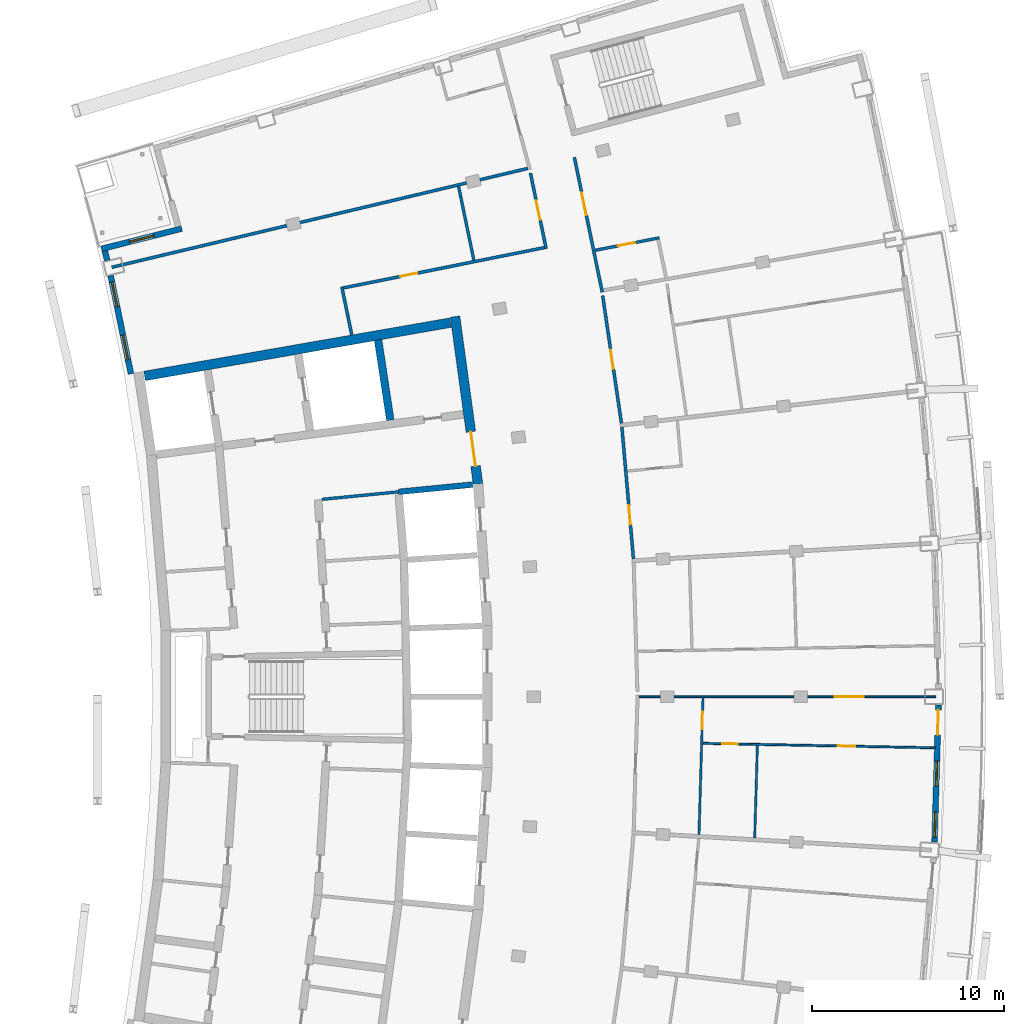
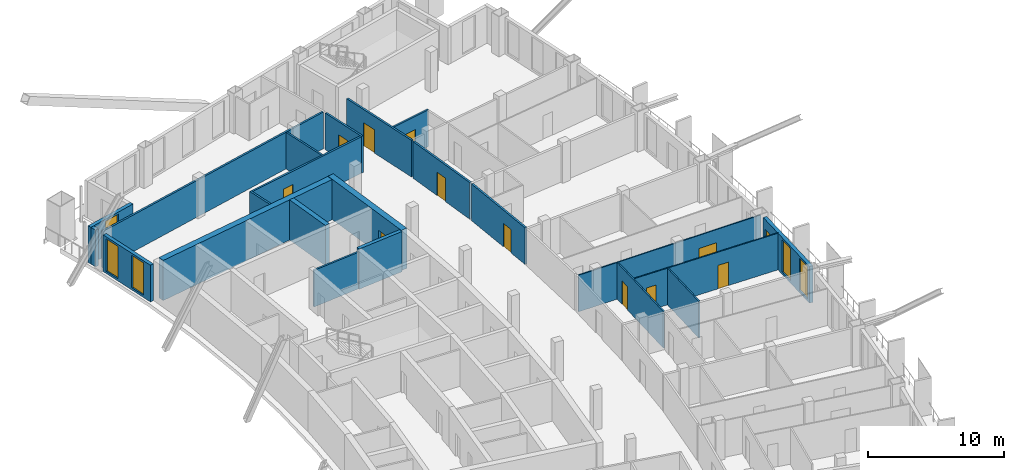
# One storey, part 11 of 17: 22 walls, 12 doors, 5 windows, 17 openings.
"""IFC4 building model written with IfcOpenShell, lengths in metres."""

from ifc_helpers import new_model, si_unit, direction, frame, frame_2d, origin, place, context, subcontext, project, spatial, rectangle, extrude, material, layer, layer_set, type_object, element, fill, save


model = new_model("IFC4")

# Units and contexts
model_context = context("Model", 3, precision=1e-05, world=origin(), true_north=direction((0.0, 1.0)))
body_context = subcontext(model_context, "Body", "Model", "MODEL_VIEW")
ifc_project = project(units=[si_unit("LENGTHUNIT", "METRE"), si_unit("AREAUNIT", "SQUARE_METRE"), si_unit("VOLUMEUNIT", "CUBIC_METRE"), si_unit("PLANEANGLEUNIT", "RADIAN"), si_unit("MASSUNIT", "GRAM", prefix="KILO")], contexts=[model_context])

# Site, building, storey
site_placement = place(None, origin())
site = spatial("IfcSite", under=ifc_project, at=site_placement, CompositionType="ELEMENT")
building_placement = place(site_placement, origin())
building = spatial("IfcBuilding", under=site, at=building_placement, Name="Alderwake Tower", CompositionType="ELEMENT")
storey_placement = place(building_placement, frame((0.0, 0.0, 256.39990234375)))
storey = spatial("IfcBuildingStorey", under=building, at=storey_placement, Name="L63", CompositionType="ELEMENT", Elevation=256.39990234375)

# Wall
ifc_material_1 = material(Name="Gypsum shaft wall system, rated")
ifc_layer_1 = layer(ifc_material_1, 0.14990234375)
ifc_layer_set_1 = layer_set([ifc_layer_1], Name="Core room partition 150")
wall_type_1 = type_object("IfcWallType", Name="Core room partition 150", PredefinedType="PARTITIONING", material=ifc_layer_set_1)
wall_1_placement = place(storey_placement, frame((24.799560546875, 71.2548828125, 0.0), z_axis=(0.0, 0.0, 1.0), x_axis=(0.995250000627, 0.097352125046, 0.0)))
element("IfcWall", 1, at=wall_1_placement, inside=storey, type_object=wall_type_1, Name="CW/L63/PR+102_+86", PredefinedType="PARTITIONING", context=body_context, shape_type="SweptSolid", body=[
    extrude(rectangle(XDim=4.0, YDim=0.14990234375, at=frame_2d((2.0, 0.0))), origin(), (0.0, 0.0, 1.0), 3.280029296875),
])

# Wall, opening, door
ifc_material_2 = material(Name="Concrete C70/85", Category="concrete")
ifc_layer_2 = layer(ifc_material_2, 0.5)
ifc_layer_set_2 = layer_set([ifc_layer_2], Name="Core wall outer 500 C70-85")
wall_type_2 = type_object("IfcWallType", Name="Core wall outer 500 C70-85", PredefinedType="SHEAR", material=ifc_layer_set_2)
wall_2_placement = place(storey_placement, frame((31.71728515625, 80.752685546875, 0.0), z_axis=(0.0, 0.0, 1.0), x_axis=(0.1358539401, -0.990728876615, 0.0)))
wall_2 = element("IfcWall", 2, at=wall_2_placement, inside=storey, type_object=wall_type_2, Name="Core wall CW.019", PredefinedType="SHEAR", context=body_context, shape_type="SweptSolid", body=[
    extrude(rectangle(XDim=8.794921875, YDim=0.5, at=frame_2d((4.3974609375, 0.0))), origin(), (0.0, 0.0, 1.0), 3.60009765625),
])
opening_1_placement = place(wall_2_placement, frame((6.0419921875, 0.0, 0.0)))
opening_1 = element("IfcOpeningElement", 3, at=opening_1_placement, cuts=wall_2, Name="Opening C001", PredefinedType="OPENING", context=body_context, shape_type="SweptSolid", body=[
    extrude(rectangle(XDim=1.800048828125, YDim=2.10009765625, at=frame_2d((0.89990234375, 1.050048828125))), frame((0.0, 0.260009765625, 0.0), z_axis=(0.0, -1.0, 0.0), x_axis=(1.0, 0.0, 0.0)), (0.0, 0.0, 1.0), 0.52001953125),
])
ifc_material_3 = material(Name="Steel-framed fire door leaves", Category="steel")
door_type_1 = type_object("IfcDoorType", Name="Core double door 1800 fire-rated", OperationType="DOUBLE_DOOR_SINGLE_SWING", PredefinedType="DOOR", material=ifc_material_3)
door_1_placement = place(opening_1_placement, origin())
door_1 = element("IfcDoor", 4, at=door_1_placement, inside=storey, type_object=door_type_1, Name="Lobby double door", OperationType="DOUBLE_DOOR_SINGLE_SWING", OverallHeight=2.10009765625, OverallWidth=1.800048828125, PredefinedType="DOOR", context=body_context, shape_type="SweptSolid", body=[
    extrude(rectangle(XDim=1.800048828125, YDim=2.10009765625, at=frame_2d((0.89990234375, 1.050048828125))), frame((0.0, 0.02490234375, 0.0), z_axis=(0.0, -1.0, 0.0), x_axis=(1.0, 0.0, 0.0)), (0.0, 0.0, 1.0), 0.050048828125),
])
fill(opening_1, door_1)

# Walls
wall_3_placement = place(storey_placement, frame((15.583251953125, 77.664306640625, 0.0), z_axis=(0.0, 0.0, 1.0), x_axis=(0.985139146221, 0.171758151429, 0.0)))
element("IfcWall", 5, at=wall_3_placement, inside=storey, type_object=wall_type_2, Name="Core wall CW.055", PredefinedType="SHEAR", context=body_context, shape_type="SweptSolid", body=[
    extrude(rectangle(XDim=16.134521484375, YDim=0.5, at=frame_2d((8.0673828125, 0.0))), origin(), (0.0, 0.0, 1.0), 3.60009765625),
])
ifc_material_4 = material(Name="Concrete C70/85", Category="concrete")
ifc_layer_3 = layer(ifc_material_4, 0.300048828125)
ifc_layer_set_3 = layer_set([ifc_layer_3], Name="Core wall shaft 300 C70-85")
wall_type_3 = type_object("IfcWallType", Name="Core wall shaft 300 C70-85", PredefinedType="SHEAR", material=ifc_layer_set_3)
wall_4_placement = place(storey_placement, frame((28.780517578125, 71.644287109375, 0.0), z_axis=(0.0, 0.0, 1.0), x_axis=(0.995244248631, 0.097410910928, 0.0)))
element("IfcWall", 6, at=wall_4_placement, inside=storey, type_object=wall_type_3, Name="Core wall CW.049", PredefinedType="SHEAR", context=body_context, shape_type="SweptSolid", body=[
    extrude(rectangle(XDim=3.86962890625, YDim=0.300048828125, at=frame_2d((1.934814453125, 0.0))), origin(), (0.0, 0.0, 1.0), 3.60009765625),
])
ifc_material_5 = material(Name="Concrete C70/85", Category="concrete")
ifc_layer_4 = layer(ifc_material_5, 0.39990234375)
ifc_layer_set_4 = layer_set([ifc_layer_4], Name="Core wall spine 400 C70-85")
wall_type_4 = type_object("IfcWallType", Name="Core wall spine 400 C70-85", PredefinedType="SHEAR", material=ifc_layer_set_4)
wall_5_placement = place(storey_placement, frame((28.350830078125, 75.373291015625, 0.0), z_axis=(0.0, 0.0, 1.0), x_axis=(-0.150576223774, 0.988598402201, 0.0)))
element("IfcWall", 7, at=wall_5_placement, inside=storey, type_object=wall_type_4, Name="Core wall CW.001", PredefinedType="SHEAR", context=body_context, shape_type="SweptSolid", body=[
    extrude(rectangle(XDim=4.21240234375, YDim=0.39990234375, at=frame_2d((2.106201171875, 0.0))), origin(), (0.0, 0.0, 1.0), 3.60009765625),
])
ifc_material_6 = material(Name="Gypsum board on metal studs, rated")
ifc_layer_5 = layer(ifc_material_6, 0.159912109375)
ifc_layer_set_5 = layer_set([ifc_layer_5], Name="Corridor wall 160")
wall_type_5 = type_object("IfcWallType", Name="Corridor wall 160", PredefinedType="PARTITIONING", material=ifc_layer_set_5)
wall_6_placement = place(storey_placement, frame((25.831787109375, 82.305419921875, 0.0), z_axis=(0.0, 0.0, 1.0), x_axis=(0.202450797205, -0.979292435747, 0.0)))
element("IfcWall", 8, at=wall_6_placement, inside=storey, type_object=wall_type_5, Name="WL/L63/W12", PredefinedType="PARTITIONING", context=body_context, shape_type="SweptSolid", body=[
    extrude(rectangle(XDim=2.555419921875, YDim=0.159912109375, at=frame_2d((1.27783203125, 0.0))), origin(), (0.0, 0.0, 1.0), 3.280029296875),
])
wall_7_placement = place(storey_placement, frame((35.502197265625, 88.451416015625, 0.0), z_axis=(0.0, 0.0, 1.0), x_axis=(-0.972894913244, -0.231247676278, 0.0)))
element("IfcWall", 9, at=wall_7_placement, inside=storey, type_object=wall_type_5, Name="WL/L63/W15", PredefinedType="PARTITIONING", context=body_context, shape_type="SweptSolid", body=[
    extrude(rectangle(XDim=22.220458984375, YDim=0.159912109375, at=frame_2d((11.1103515625, 0.0))), origin(), (0.0, 0.0, 1.0), 3.280029296875),
])

# Wall, opening, door
wall_8_placement = place(storey_placement, frame((36.451416015625, 84.272705078125, 0.0), z_axis=(0.0, 0.0, 1.0), x_axis=(-0.203258199701, 0.979125172924, 0.0)))
wall_8 = element("IfcWall", 10, at=wall_8_placement, inside=storey, type_object=wall_type_5, Name="WL/L63/W16", PredefinedType="PARTITIONING", context=body_context, shape_type="SweptSolid", body=[
    extrude(rectangle(XDim=4.020263671875, YDim=0.159912109375, at=frame_2d((2.01025390625, 0.0))), origin(), (0.0, 0.0, 1.0), 3.280029296875),
])
opening_2_placement = place(wall_8_placement, frame((1.549560546875, 0.0, 0.0)))
opening_2 = element("IfcOpeningElement", 11, at=opening_2_placement, cuts=wall_8, Name="Opening R18-SBN2", PredefinedType="OPENING", context=body_context, shape_type="SweptSolid", body=[
    extrude(rectangle(XDim=1.0, YDim=2.10009765625, at=frame_2d((0.5, 1.050048828125))), frame((0.0, 0.08984375, 0.0), z_axis=(0.0, -1.0, 0.0), x_axis=(1.0, 0.0, 0.0)), (0.0, 0.0, 1.0), 0.179931640625),
])
ifc_material_7 = material(Name="Steel-framed fire door leaf", Category="steel")
door_type_2 = type_object("IfcDoorType", Name="Plant room door 1000 fire-rated", OperationType="SINGLE_SWING_LEFT", PredefinedType="DOOR", material=ifc_material_7)
door_2_placement = place(opening_2_placement, origin())
door_2 = element("IfcDoor", 12, at=door_2_placement, inside=storey, type_object=door_type_2, Name="DR/L63/SBN2", OperationType="SINGLE_SWING_LEFT", OverallHeight=2.10009765625, OverallWidth=1.0, PredefinedType="DOOR", context=body_context, shape_type="SweptSolid", body=[
    extrude(rectangle(XDim=1.0, YDim=2.10009765625, at=frame_2d((0.5, 1.050048828125))), frame((0.0, 0.02490234375, 0.0), z_axis=(0.0, -1.0, 0.0), x_axis=(1.0, 0.0, 0.0)), (0.0, 0.0, 1.0), 0.050048828125),
])
fill(opening_2, door_2)

wall_9_placement = place(storey_placement, frame((25.926513671875, 82.24267578125, 0.0), z_axis=(0.0, 0.0, 1.0), x_axis=(0.98046310274, 0.196703086316, 0.0)))
wall_9 = element("IfcWall", 13, at=wall_9_placement, inside=storey, type_object=wall_type_5, Name="WL/L63/W18", PredefinedType="PARTITIONING", context=body_context, shape_type="SweptSolid", body=[
    extrude(rectangle(XDim=10.637939453125, YDim=0.159912109375, at=frame_2d((5.31884765625, 0.0))), origin(), (0.0, 0.0, 1.0), 3.280029296875),
])
opening_3_placement = place(wall_9_placement, frame((3.009033203125, 0.0, 0.0)))
opening_3 = element("IfcOpeningElement", 14, at=opening_3_placement, cuts=wall_9, Name="Opening R18-SBN1", PredefinedType="OPENING", context=body_context, shape_type="SweptSolid", body=[
    extrude(rectangle(XDim=0.89990234375, YDim=2.10009765625, at=frame_2d((0.449951171875, 1.050048828125))), frame((0.0, 0.08984375, 0.0), z_axis=(0.0, -1.0, 0.0), x_axis=(1.0, 0.0, 0.0)), (0.0, 0.0, 1.0), 0.179931640625),
])
ifc_material_8 = material(Name="Painted timber leaf", Category="wood")
door_type_3 = type_object("IfcDoorType", Name="Room door 900", OperationType="SINGLE_SWING_LEFT", PredefinedType="DOOR", material=ifc_material_8)
door_3_placement = place(opening_3_placement, origin())
door_3 = element("IfcDoor", 15, at=door_3_placement, inside=storey, type_object=door_type_3, Name="DR/L63/SBN1", OperationType="SINGLE_SWING_LEFT", OverallHeight=2.10009765625, OverallWidth=0.89990234375, PredefinedType="DOOR", context=body_context, shape_type="SweptSolid", body=[
    extrude(rectangle(XDim=0.89990234375, YDim=2.10009765625, at=frame_2d((0.449951171875, 1.050048828125))), frame((0.0, 0.02490234375, 0.0), z_axis=(0.0, -1.0, 0.0), x_axis=(1.0, 0.0, 0.0)), (0.0, 0.0, 1.0), 0.050048828125),
])
fill(opening_3, door_3)

wall_10_placement = place(storey_placement, frame((37.9169921875, 89.02490234375, 0.0), z_axis=(0.0, 0.0, 1.0), x_axis=(0.202409142021, -0.979301046271, 0.0)))
wall_10 = element("IfcWall", 16, at=wall_10_placement, inside=storey, type_object=wall_type_5, Name="WL/L63/W21", PredefinedType="PARTITIONING", context=body_context, shape_type="SweptSolid", body=[
    extrude(rectangle(XDim=7.150146484375, YDim=0.159912109375, at=frame_2d((3.5751953125, 0.0))), origin(), (0.0, 0.0, 1.0), 3.280029296875),
])
opening_4_placement = place(wall_10_placement, frame((1.874755859375, 0.0, 0.0)))
opening_4 = element("IfcOpeningElement", 17, at=opening_4_placement, cuts=wall_10, Name="Opening R18-AM1.1", PredefinedType="OPENING", context=body_context, shape_type="SweptSolid", body=[
    extrude(rectangle(XDim=1.199951171875, YDim=2.10009765625, at=frame_2d((0.60009765625, 1.050048828125))), frame((0.0, 0.08984375, 0.0), z_axis=(0.0, -1.0, 0.0), x_axis=(1.0, 0.0, 0.0)), (0.0, 0.0, 1.0), 0.179931640625),
])
ifc_material_9 = material(Name="Steel-framed fire door leaf", Category="steel")
door_type_4 = type_object("IfcDoorType", Name="Lobby door 1200 fire-rated", OperationType="SINGLE_SWING_LEFT", PredefinedType="DOOR", material=ifc_material_9)
door_4_placement = place(opening_4_placement, origin())
door_4 = element("IfcDoor", 18, at=door_4_placement, inside=storey, type_object=door_type_4, Name="DR/L63/AM1.1", OperationType="SINGLE_SWING_LEFT", OverallHeight=2.10009765625, OverallWidth=1.199951171875, PredefinedType="DOOR", context=body_context, shape_type="SweptSolid", body=[
    extrude(rectangle(XDim=1.199951171875, YDim=2.10009765625, at=frame_2d((0.60009765625, 1.050048828125))), frame((0.0, 0.02490234375, 0.0), z_axis=(0.0, -1.0, 0.0), x_axis=(1.0, 0.0, 0.0)), (0.0, 0.0, 1.0), 0.050048828125),
])
fill(opening_4, door_4)

wall_11_placement = place(storey_placement, frame((39.38671875, 81.837158203125, 0.0), z_axis=(0.0, 0.0, 1.0), x_axis=(0.145576845789, -0.989346947218, 0.0)))
wall_11 = element("IfcWall", 19, at=wall_11_placement, inside=storey, type_object=wall_type_5, Name="WL/L63/W23", PredefinedType="PARTITIONING", context=body_context, shape_type="SweptSolid", body=[
    extrude(rectangle(XDim=6.701416015625, YDim=0.159912109375, at=frame_2d((3.3505859375, 0.0))), origin(), (0.0, 0.0, 1.0), 3.280029296875),
])
opening_5_placement = place(wall_11_placement, frame((2.850830078125, 0.0, 0.0)))
opening_5 = element("IfcOpeningElement", 20, at=opening_5_placement, cuts=wall_11, Name="Opening R18-U07.1", PredefinedType="OPENING", context=body_context, shape_type="SweptSolid", body=[
    extrude(rectangle(XDim=1.0, YDim=2.10009765625, at=frame_2d((0.5, 1.050048828125))), frame((0.0, 0.08984375, 0.0), z_axis=(0.0, -1.0, 0.0), x_axis=(1.0, 0.0, 0.0)), (0.0, 0.0, 1.0), 0.179931640625),
])
ifc_material_10 = material(Name="Solid timber leaf in steel frame", Category="steel")
door_type_5 = type_object("IfcDoorType", Name="Flat entrance door 1000 fire-rated", OperationType="SINGLE_SWING_LEFT", PredefinedType="DOOR", material=ifc_material_10)
door_5_placement = place(opening_5_placement, origin())
door_5 = element("IfcDoor", 21, at=door_5_placement, inside=storey, type_object=door_type_5, Name="DR/L63/U07.1", OperationType="SINGLE_SWING_LEFT", OverallHeight=2.10009765625, OverallWidth=1.0, PredefinedType="DOOR", context=body_context, shape_type="SweptSolid", body=[
    extrude(rectangle(XDim=1.0, YDim=2.10009765625, at=frame_2d((0.5, 1.050048828125))), frame((0.0, 0.02490234375, 0.0), z_axis=(0.0, -1.0, 0.0), x_axis=(1.0, 0.0, 0.0)), (0.0, 0.0, 1.0), 0.050048828125),
])
fill(opening_5, door_5)

wall_12_placement = place(storey_placement, frame((40.3857421875, 75.00830078125, 0.0), z_axis=(0.0, 0.0, 1.0), x_axis=(0.087448731147, -0.996169021512, 0.0)))
wall_12 = element("IfcWall", 22, at=wall_12_placement, inside=storey, type_object=wall_type_5, Name="WL/L63/W25", PredefinedType="PARTITIONING", context=body_context, shape_type="SweptSolid", body=[
    extrude(rectangle(XDim=6.867919921875, YDim=0.159912109375, at=frame_2d((3.43408203125, 0.0))), origin(), (0.0, 0.0, 1.0), 3.280029296875),
])
opening_6_placement = place(wall_12_placement, frame((4.085693359375, 0.0, 0.0)))
opening_6 = element("IfcOpeningElement", 23, at=opening_6_placement, cuts=wall_12, Name="Opening R18-U06.1", PredefinedType="OPENING", context=body_context, shape_type="SweptSolid", body=[
    extrude(rectangle(XDim=1.0, YDim=2.10009765625, at=frame_2d((0.5, 1.050048828125))), frame((0.0, 0.08984375, 0.0), z_axis=(0.0, -1.0, 0.0), x_axis=(1.0, 0.0, 0.0)), (0.0, 0.0, 1.0), 0.179931640625),
])
door_6_placement = place(opening_6_placement, origin())
door_6 = element("IfcDoor", 24, at=door_6_placement, inside=storey, type_object=door_type_5, Name="DR/L63/U06.1", OperationType="SINGLE_SWING_LEFT", OverallHeight=2.10009765625, OverallWidth=1.0, PredefinedType="DOOR", context=body_context, shape_type="SweptSolid", body=[
    extrude(rectangle(XDim=1.0, YDim=2.10009765625, at=frame_2d((0.5, 1.050048828125))), frame((0.0, 0.02490234375, 0.0), z_axis=(0.0, -1.0, 0.0), x_axis=(1.0, 0.0, 0.0)), (0.0, 0.0, 1.0), 0.050048828125),
])
fill(opening_6, door_6)

# Wall, openings, door, windows
ifc_material_11 = material(Name="Precast concrete C50/60 spandrel panel", Category="concrete")
ifc_layer_6 = layer(ifc_material_11, 0.300048828125)
ifc_layer_set_6 = layer_set([ifc_layer_6], Name="External wall EW1 Precast concrete C50/60 spandrel")
wall_type_6 = type_object("IfcWallType", Name="External wall EW1 Precast concrete C50/60 spandrel", PredefinedType="SOLIDWALL", material=ifc_layer_set_6)
wall_13_placement = place(storey_placement, frame((56.62939453125, 53.443115234375, 0.0), z_axis=(0.0, 0.0, 1.0), x_axis=(0.029172920449, 0.99957437978, 0.0)))
wall_13 = element("IfcWall", 25, at=wall_13_placement, inside=storey, type_object=wall_type_6, Name="External wall 15", PredefinedType="SOLIDWALL", context=body_context, shape_type="SweptSolid", body=[
    extrude(rectangle(XDim=7.138427734375, YDim=0.300048828125, at=frame_2d((3.5693359375, 0.0))), origin(), (0.0, 0.0, 1.0), 3.280029296875),
])
opening_7_placement = place(wall_13_placement, frame((0.263427734375, 0.0, 0.199951171875)))
opening_7 = element("IfcOpeningElement", 26, at=opening_7_placement, cuts=wall_13, Name="Opening W1", PredefinedType="OPENING", context=body_context, shape_type="SweptSolid", body=[
    extrude(rectangle(XDim=1.300048828125, YDim=2.89990234375, at=frame_2d((0.64990234375, 1.449951171875))), frame((0.0, 0.159912109375, 0.0), z_axis=(0.0, -1.0, 0.0), x_axis=(1.0, 0.0, 0.0)), (0.0, 0.0, 1.0), 0.320068359375),
])
opening_8_placement = place(wall_13_placement, frame((2.919189453125, 0.0, 0.199951171875)))
opening_8 = element("IfcOpeningElement", 27, at=opening_8_placement, cuts=wall_13, Name="Opening W1", PredefinedType="OPENING", context=body_context, shape_type="SweptSolid", body=[
    extrude(rectangle(XDim=1.300048828125, YDim=2.89990234375, at=frame_2d((0.64990234375, 1.449951171875))), frame((0.0, 0.159912109375, 0.0), z_axis=(0.0, -1.0, 0.0), x_axis=(1.0, 0.0, 0.0)), (0.0, 0.0, 1.0), 0.320068359375),
])
opening_9_placement = place(wall_13_placement, frame((5.574951171875, 0.0, 0.0)))
opening_9 = element("IfcOpeningElement", 28, at=opening_9_placement, cuts=wall_13, Name="Opening D05", PredefinedType="OPENING", context=body_context, shape_type="SweptSolid", body=[
    extrude(rectangle(XDim=1.300048828125, YDim=2.39990234375, at=frame_2d((0.64990234375, 1.199951171875))), frame((0.0, 0.159912109375, 0.0), z_axis=(0.0, -1.0, 0.0), x_axis=(1.0, 0.0, 0.0)), (0.0, 0.0, 1.0), 0.320068359375),
])
ifc_material_12 = material(Name="Bronze tinted glass in aluminium frame", Category="aluminium")
door_type_6 = type_object("IfcDoorType", Name="Balcony door BD sliding", OperationType="SLIDING_TO_LEFT", PredefinedType="DOOR", material=ifc_material_12)
door_7_placement = place(opening_9_placement, origin())
door_7 = element("IfcDoor", 29, at=door_7_placement, inside=storey, type_object=door_type_6, Name="Door D05", OperationType="SLIDING_TO_LEFT", OverallHeight=2.39990234375, OverallWidth=1.300048828125, PredefinedType="DOOR", context=body_context, shape_type="SweptSolid", body=[
    extrude(rectangle(XDim=1.300048828125, YDim=2.39990234375, at=frame_2d((0.64990234375, 1.199951171875))), frame((0.0, 0.02490234375, 0.0), z_axis=(0.0, -1.0, 0.0), x_axis=(1.0, 0.0, 0.0)), (0.0, 0.0, 1.0), 0.050048828125),
])
fill(opening_9, door_7)
ifc_material_13 = material(Name="Bronze tinted glass in aluminium frame", Category="aluminium")
window_type = type_object("IfcWindowType", Name="Window W1 tall fixed and vent", PartitioningType="DOUBLE_PANEL_VERTICAL", PredefinedType="WINDOW", material=ifc_material_13)
window_1_placement = place(opening_7_placement, origin())
window_1 = element("IfcWindow", 30, at=window_1_placement, inside=storey, type_object=window_type, Name="Window W1 tall fixed and vent", OverallHeight=2.89990234375, OverallWidth=1.300048828125, PartitioningType="DOUBLE_PANEL_VERTICAL", PredefinedType="WINDOW", context=body_context, shape_type="SweptSolid", body=[
    extrude(rectangle(XDim=1.300048828125, YDim=2.89990234375, at=frame_2d((0.64990234375, 1.449951171875))), frame((0.0, 0.030029296875, 0.0), z_axis=(0.0, -1.0, 0.0), x_axis=(1.0, 0.0, 0.0)), (0.0, 0.0, 1.0), 0.06005859375),
])
fill(opening_7, window_1)
window_2_placement = place(opening_8_placement, origin())
window_2 = element("IfcWindow", 31, at=window_2_placement, inside=storey, type_object=window_type, Name="Window W1 tall fixed and vent", OverallHeight=2.89990234375, OverallWidth=1.300048828125, PartitioningType="DOUBLE_PANEL_VERTICAL", PredefinedType="WINDOW", context=body_context, shape_type="SweptSolid", body=[
    extrude(rectangle(XDim=1.300048828125, YDim=2.89990234375, at=frame_2d((0.64990234375, 1.449951171875))), frame((0.0, 0.030029296875, 0.0), z_axis=(0.0, -1.0, 0.0), x_axis=(1.0, 0.0, 0.0)), (0.0, 0.0, 1.0), 0.06005859375),
])
fill(opening_8, window_2)

# Wall
wall_14_placement = place(storey_placement, frame((13.523193359375, 84.1572265625, 0.0), z_axis=(0.0, 0.0, 1.0), x_axis=(0.238653145818, -0.971104873838, 0.0)))
element("IfcWall", 32, at=wall_14_placement, inside=storey, type_object=wall_type_6, Name="External wall 30", PredefinedType="SOLIDWALL", context=body_context, shape_type="SweptSolid", body=[
    extrude(rectangle(XDim=0.50341796875, YDim=0.300048828125, at=frame_2d((0.251708984375, 0.0))), origin(), (0.0, 0.0, 1.0), 3.280029296875),
])

# Wall, openings, windows
wall_15_placement = place(storey_placement, frame((13.821533203125, 82.879638671875, 0.0), z_axis=(0.0, 0.0, 1.0), x_axis=(0.202760516883, -0.979228355795, 0.0)))
wall_15 = element("IfcWall", 33, at=wall_15_placement, inside=storey, type_object=wall_type_6, Name="External wall 31", PredefinedType="SOLIDWALL", context=body_context, shape_type="SweptSolid", body=[
    extrude(rectangle(XDim=5.211181640625, YDim=0.300048828125, at=frame_2d((2.60546875, 0.0))), origin(), (0.0, 0.0, 1.0), 3.280029296875),
])
opening_10_placement = place(wall_15_placement, frame((0.342041015625, 0.0, 0.199951171875)))
opening_10 = element("IfcOpeningElement", 34, at=opening_10_placement, cuts=wall_15, Name="Opening W1", PredefinedType="OPENING", context=body_context, shape_type="SweptSolid", body=[
    extrude(rectangle(XDim=1.300048828125, YDim=2.89990234375, at=frame_2d((0.64990234375, 1.449951171875))), frame((0.0, 0.159912109375, 0.0), z_axis=(0.0, -1.0, 0.0), x_axis=(1.0, 0.0, 0.0)), (0.0, 0.0, 1.0), 0.320068359375),
])
opening_11_placement = place(wall_15_placement, frame((3.15478515625, 0.0, 0.199951171875)))
opening_11 = element("IfcOpeningElement", 35, at=opening_11_placement, cuts=wall_15, Name="Opening W1", PredefinedType="OPENING", context=body_context, shape_type="SweptSolid", body=[
    extrude(rectangle(XDim=1.300048828125, YDim=2.89990234375, at=frame_2d((0.64990234375, 1.449951171875))), frame((0.0, 0.159912109375, 0.0), z_axis=(0.0, -1.0, 0.0), x_axis=(1.0, 0.0, 0.0)), (0.0, 0.0, 1.0), 0.320068359375),
])
window_3_placement = place(opening_10_placement, origin())
window_3 = element("IfcWindow", 36, at=window_3_placement, inside=storey, type_object=window_type, Name="Window W1 tall fixed and vent", OverallHeight=2.89990234375, OverallWidth=1.300048828125, PartitioningType="DOUBLE_PANEL_VERTICAL", PredefinedType="WINDOW", context=body_context, shape_type="SweptSolid", body=[
    extrude(rectangle(XDim=1.300048828125, YDim=2.89990234375, at=frame_2d((0.64990234375, 1.449951171875))), frame((0.0, 0.030029296875, 0.0), z_axis=(0.0, -1.0, 0.0), x_axis=(1.0, 0.0, 0.0)), (0.0, 0.0, 1.0), 0.06005859375),
])
fill(opening_10, window_3)
window_4_placement = place(opening_11_placement, origin())
window_4 = element("IfcWindow", 37, at=window_4_placement, inside=storey, type_object=window_type, Name="Window W1 tall fixed and vent", OverallHeight=2.89990234375, OverallWidth=1.300048828125, PartitioningType="DOUBLE_PANEL_VERTICAL", PredefinedType="WINDOW", context=body_context, shape_type="SweptSolid", body=[
    extrude(rectangle(XDim=1.300048828125, YDim=2.89990234375, at=frame_2d((0.64990234375, 1.449951171875))), frame((0.0, 0.030029296875, 0.0), z_axis=(0.0, -1.0, 0.0), x_axis=(1.0, 0.0, 0.0)), (0.0, 0.0, 1.0), 0.06005859375),
])
fill(opening_11, window_4)

# Wall, opening, window
ifc_material_14 = material(Name="Bronze metal cladding on lightweight framing")
ifc_layer_7 = layer(ifc_material_14, 0.300048828125)
ifc_layer_set_7 = layer_set([ifc_layer_7], Name="External wall EW2 bronze metal cladding")
wall_type_7 = type_object("IfcWallType", Name="External wall EW2 bronze metal cladding", PredefinedType="SOLIDWALL", material=ifc_layer_set_7)
wall_16_placement = place(storey_placement, frame((17.51611328125, 85.32275390625, 0.0), z_axis=(0.0, 0.0, 1.0), x_axis=(-0.969417740682, -0.245416470617, 0.0)))
wall_16 = element("IfcWall", 38, at=wall_16_placement, inside=storey, type_object=wall_type_7, Name="External wall 29", PredefinedType="SOLIDWALL", context=body_context, shape_type="SweptSolid", body=[
    extrude(rectangle(XDim=4.305419921875, YDim=0.300048828125, at=frame_2d((2.15283203125, 0.0))), origin(), (0.0, 0.0, 1.0), 3.280029296875),
])
opening_12_placement = place(wall_16_placement, frame((1.502685546875, 0.0, 0.199951171875)))
opening_12 = element("IfcOpeningElement", 39, at=opening_12_placement, cuts=wall_16, Name="Opening W1", PredefinedType="OPENING", context=body_context, shape_type="SweptSolid", body=[
    extrude(rectangle(XDim=1.300048828125, YDim=2.89990234375, at=frame_2d((0.64990234375, 1.449951171875))), frame((0.0, 0.159912109375, 0.0), z_axis=(0.0, -1.0, 0.0), x_axis=(1.0, 0.0, 0.0)), (0.0, 0.0, 1.0), 0.320068359375),
])
window_5_placement = place(opening_12_placement, origin())
window_5 = element("IfcWindow", 40, at=window_5_placement, inside=storey, type_object=window_type, Name="Window W1 tall fixed and vent", OverallHeight=2.89990234375, OverallWidth=1.300048828125, PartitioningType="DOUBLE_PANEL_VERTICAL", PredefinedType="WINDOW", context=body_context, shape_type="SweptSolid", body=[
    extrude(rectangle(XDim=1.300048828125, YDim=2.89990234375, at=frame_2d((0.64990234375, 1.449951171875))), frame((0.0, 0.030029296875, 0.0), z_axis=(0.0, -1.0, 0.0), x_axis=(1.0, 0.0, 0.0)), (0.0, 0.0, 1.0), 0.06005859375),
])
fill(opening_12, window_5)

# Wall
ifc_material_15 = material(Name="Gypsum shaft wall system, rated")
ifc_layer_8 = layer(ifc_material_15, 0.14990234375)
ifc_layer_set_8 = layer_set([ifc_layer_8], Name="Riser and shaft wall 150")
wall_type_8 = type_object("IfcWallType", Name="Riser and shaft wall 150", PredefinedType="PARTITIONING", material=ifc_layer_set_8)
wall_17_placement = place(storey_placement, frame((32.69287109375, 83.682373046875, 0.0), z_axis=(0.0, 0.0, 1.0), x_axis=(-0.20266545775, 0.979248034073, 0.0)))
element("IfcWall", 41, at=wall_17_placement, inside=storey, type_object=wall_type_8, Name="WL/L63/W06", PredefinedType="PARTITIONING", context=body_context, shape_type="SweptSolid", body=[
    extrude(rectangle(XDim=3.911376953125, YDim=0.14990234375, at=frame_2d((1.95556640625, 0.0))), origin(), (0.0, 0.0, 1.0), 3.280029296875),
])

# Wall, opening, door
wall_18_placement = place(storey_placement, frame((42.32861328125, 84.84228515625, 0.0), z_axis=(0.0, 0.0, 1.0), x_axis=(-0.981655808185, -0.190661674853, 0.0)))
wall_18 = element("IfcWall", 42, at=wall_18_placement, inside=storey, type_object=wall_type_8, Name="WL/L63/W07", PredefinedType="PARTITIONING", context=body_context, shape_type="SweptSolid", body=[
    extrude(rectangle(XDim=3.393310546875, YDim=0.14990234375, at=frame_2d((1.69677734375, 0.0))), origin(), (0.0, 0.0, 1.0), 3.280029296875),
])
opening_13_placement = place(wall_18_placement, frame((1.2841796875, 0.0, 0.0)))
opening_13 = element("IfcOpeningElement", 43, at=opening_13_placement, cuts=wall_18, Name="Opening R18-AM1.2", PredefinedType="OPENING", context=body_context, shape_type="SweptSolid", body=[
    extrude(rectangle(XDim=0.89990234375, YDim=2.10009765625, at=frame_2d((0.449951171875, 1.050048828125))), frame((0.0, 0.0849609375, 0.0), z_axis=(0.0, -1.0, 0.0), x_axis=(1.0, 0.0, 0.0)), (0.0, 0.0, 1.0), 0.169921875),
])
door_8_placement = place(opening_13_placement, origin())
door_8 = element("IfcDoor", 44, at=door_8_placement, inside=storey, type_object=door_type_3, Name="DR/L63/AM1.2", OperationType="SINGLE_SWING_LEFT", OverallHeight=2.10009765625, OverallWidth=0.89990234375, PredefinedType="DOOR", context=body_context, shape_type="SweptSolid", body=[
    extrude(rectangle(XDim=0.89990234375, YDim=2.10009765625, at=frame_2d((0.449951171875, 1.050048828125))), frame((0.0, 0.02490234375, 0.0), z_axis=(0.0, -1.0, 0.0), x_axis=(1.0, 0.0, 0.0)), (0.0, 0.0, 1.0), 0.050048828125),
])
fill(opening_13, door_8)

ifc_material_16 = material(Name="Gypsum board on metal studs")
ifc_layer_9 = layer(ifc_material_16, 0.10009765625)
ifc_layer_set_9 = layer_set([ifc_layer_9], Name="Unit partition 100")
wall_type_9 = type_object("IfcWallType", Name="Unit partition 100", PredefinedType="PARTITIONING", material=ifc_layer_set_9)
wall_19_placement = place(storey_placement, frame((41.279052734375, 60.9990234375, 0.0), z_axis=(0.0, 0.0, 1.0), x_axis=(1.0, 0.0, 0.0)))
wall_19 = element("IfcWall", 45, at=wall_19_placement, inside=storey, type_object=wall_type_9, Name="WL/L63/W47", PredefinedType="PARTITIONING", context=body_context, shape_type="SweptSolid", body=[
    extrude(rectangle(XDim=15.4208984375, YDim=0.10009765625, at=frame_2d((7.71044921875, 0.0))), origin(), (0.0, 0.0, 1.0), 3.280029296875),
])
opening_14_placement = place(wall_19_placement, frame((10.1748046875, 0.0, 0.0)))
opening_14 = element("IfcOpeningElement", 46, at=opening_14_placement, cuts=wall_19, Name="Opening R18-U05.8", PredefinedType="OPENING", context=body_context, shape_type="SweptSolid", body=[
    extrude(rectangle(XDim=1.5, YDim=2.10009765625, at=frame_2d((0.75, 1.050048828125))), frame((0.0, 0.06005859375, 0.0), z_axis=(0.0, -1.0, 0.0), x_axis=(1.0, 0.0, 0.0)), (0.0, 0.0, 1.0), 0.1201171875),
])
ifc_material_17 = material(Name="Painted timber leaves", Category="wood")
door_type_7 = type_object("IfcDoorType", Name="Double leaf door 1500", OperationType="DOUBLE_DOOR_SINGLE_SWING", PredefinedType="DOOR", material=ifc_material_17)
door_9_placement = place(opening_14_placement, origin())
door_9 = element("IfcDoor", 47, at=door_9_placement, inside=storey, type_object=door_type_7, Name="DR/L63/U05.8", OperationType="DOUBLE_DOOR_SINGLE_SWING", OverallHeight=2.10009765625, OverallWidth=1.5, PredefinedType="DOOR", context=body_context, shape_type="SweptSolid", body=[
    extrude(rectangle(XDim=1.5, YDim=2.10009765625, at=frame_2d((0.75, 1.050048828125))), frame((0.0, 0.02490234375, 0.0), z_axis=(0.0, -1.0, 0.0), x_axis=(1.0, 0.0, 0.0)), (0.0, 0.0, 1.0), 0.050048828125),
])
fill(opening_14, door_9)

# Wall, openings, doors
wall_20_placement = place(storey_placement, frame((56.669921875, 58.343994140625, 0.0), z_axis=(0.0, 0.0, 1.0), x_axis=(-0.999814205154, 0.01927576646, 0.0)))
wall_20 = element("IfcWall", 48, at=wall_20_placement, inside=storey, type_object=wall_type_9, Name="WL/L63/W51", PredefinedType="PARTITIONING", context=body_context, shape_type="SweptSolid", body=[
    extrude(rectangle(XDim=12.0830078125, YDim=0.10009765625, at=frame_2d((6.04150390625, 0.0))), origin(), (0.0, 0.0, 1.0), 3.280029296875),
])
opening_15_placement = place(wall_20_placement, frame((10.263671875, 0.0, 0.0)))
opening_15 = element("IfcOpeningElement", 49, at=opening_15_placement, cuts=wall_20, Name="Opening R18-U05.3", PredefinedType="OPENING", context=body_context, shape_type="SweptSolid", body=[
    extrude(rectangle(XDim=0.800048828125, YDim=2.10009765625, at=frame_2d((0.39990234375, 1.050048828125))), frame((0.0, 0.06005859375, 0.0), z_axis=(0.0, -1.0, 0.0), x_axis=(1.0, 0.0, 0.0)), (0.0, 0.0, 1.0), 0.1201171875),
])
opening_16_placement = place(wall_20_placement, frame((4.172119140625, 0.0, 0.0)))
opening_16 = element("IfcOpeningElement", 50, at=opening_16_placement, cuts=wall_20, Name="Opening R18-U05.4", PredefinedType="OPENING", context=body_context, shape_type="SweptSolid", body=[
    extrude(rectangle(XDim=0.89990234375, YDim=2.10009765625, at=frame_2d((0.449951171875, 1.050048828125))), frame((0.0, 0.06005859375, 0.0), z_axis=(0.0, -1.0, 0.0), x_axis=(1.0, 0.0, 0.0)), (0.0, 0.0, 1.0), 0.1201171875),
])
ifc_material_18 = material(Name="Painted timber leaf", Category="wood")
door_type_8 = type_object("IfcDoorType", Name="Bathroom door 800", OperationType="SINGLE_SWING_LEFT", PredefinedType="DOOR", material=ifc_material_18)
door_10_placement = place(opening_15_placement, origin())
door_10 = element("IfcDoor", 51, at=door_10_placement, inside=storey, type_object=door_type_8, Name="DR/L63/U05.3", OperationType="SINGLE_SWING_LEFT", OverallHeight=2.10009765625, OverallWidth=0.800048828125, PredefinedType="DOOR", context=body_context, shape_type="SweptSolid", body=[
    extrude(rectangle(XDim=0.800048828125, YDim=2.10009765625, at=frame_2d((0.39990234375, 1.050048828125))), frame((0.0, 0.02490234375, 0.0), z_axis=(0.0, -1.0, 0.0), x_axis=(1.0, 0.0, 0.0)), (0.0, 0.0, 1.0), 0.050048828125),
])
fill(opening_15, door_10)
door_11_placement = place(opening_16_placement, origin())
door_11 = element("IfcDoor", 52, at=door_11_placement, inside=storey, type_object=door_type_3, Name="DR/L63/U05.4", OperationType="SINGLE_SWING_LEFT", OverallHeight=2.10009765625, OverallWidth=0.89990234375, PredefinedType="DOOR", context=body_context, shape_type="SweptSolid", body=[
    extrude(rectangle(XDim=0.89990234375, YDim=2.10009765625, at=frame_2d((0.449951171875, 1.050048828125))), frame((0.0, 0.02490234375, 0.0), z_axis=(0.0, -1.0, 0.0), x_axis=(1.0, 0.0, 0.0)), (0.0, 0.0, 1.0), 0.050048828125),
])
fill(opening_16, door_11)

# Wall, opening, door
ifc_material_19 = material(Name="Moisture resistant gypsum board on metal studs")
ifc_layer_10 = layer(ifc_material_19, 0.1201171875)
ifc_layer_set_10 = layer_set([ifc_layer_10], Name="Wet room partition 120")
wall_type_10 = type_object("IfcWallType", Name="Wet room partition 120", PredefinedType="PARTITIONING", material=ifc_layer_set_10)
wall_21_placement = place(storey_placement, frame((44.599609375, 60.948974609375, 0.0), z_axis=(0.0, 0.0, 1.0), x_axis=(-0.029333519004, -0.999569679744, 0.0)))
wall_21 = element("IfcWall", 53, at=wall_21_placement, inside=storey, type_object=wall_type_10, Name="WL/L63/W40", PredefinedType="PARTITIONING", context=body_context, shape_type="SweptSolid", body=[
    extrude(rectangle(XDim=7.1162109375, YDim=0.1201171875, at=frame_2d((3.55810546875, 0.0))), origin(), (0.0, 0.0, 1.0), 3.280029296875),
])
opening_17_placement = place(wall_21_placement, frame((0.735595703125, 0.0, 0.0)))
opening_17 = element("IfcOpeningElement", 54, at=opening_17_placement, cuts=wall_21, Name="Opening R18-U05.2", PredefinedType="OPENING", context=body_context, shape_type="SweptSolid", body=[
    extrude(rectangle(XDim=0.89990234375, YDim=2.10009765625, at=frame_2d((0.449951171875, 1.050048828125))), frame((0.0, 0.070068359375, 0.0), z_axis=(0.0, -1.0, 0.0), x_axis=(1.0, 0.0, 0.0)), (0.0, 0.0, 1.0), 0.14013671875),
])
door_12_placement = place(opening_17_placement, origin())
door_12 = element("IfcDoor", 55, at=door_12_placement, inside=storey, type_object=door_type_3, Name="DR/L63/U05.2", OperationType="SINGLE_SWING_LEFT", OverallHeight=2.10009765625, OverallWidth=0.89990234375, PredefinedType="DOOR", context=body_context, shape_type="SweptSolid", body=[
    extrude(rectangle(XDim=0.89990234375, YDim=2.10009765625, at=frame_2d((0.449951171875, 1.050048828125))), frame((0.0, 0.02490234375, 0.0), z_axis=(0.0, -1.0, 0.0), x_axis=(1.0, 0.0, 0.0)), (0.0, 0.0, 1.0), 0.050048828125),
])
fill(opening_17, door_12)

# Wall
wall_22_placement = place(storey_placement, frame((47.285888671875, 53.66796875, 0.0), z_axis=(0.0, 0.0, 1.0), x_axis=(0.029063100448, 0.999577578876, 0.0)))
element("IfcWall", 56, at=wall_22_placement, inside=storey, type_object=wall_type_10, Name="WL/L63/W43", PredefinedType="PARTITIONING", context=body_context, shape_type="SweptSolid", body=[
    extrude(rectangle(XDim=4.804931640625, YDim=0.1201171875, at=frame_2d((2.40234375, 0.0))), origin(), (0.0, 0.0, 1.0), 3.280029296875),
])

save(model, "model.ifc")
